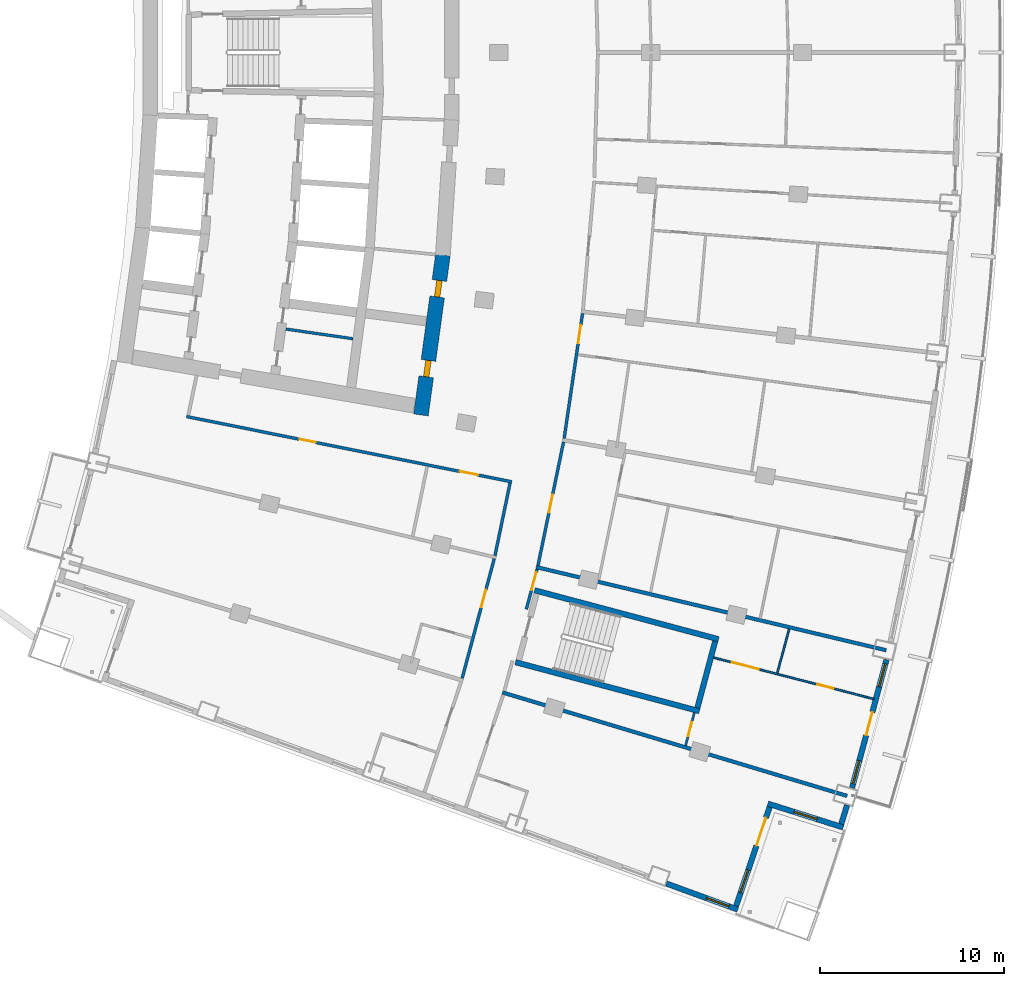
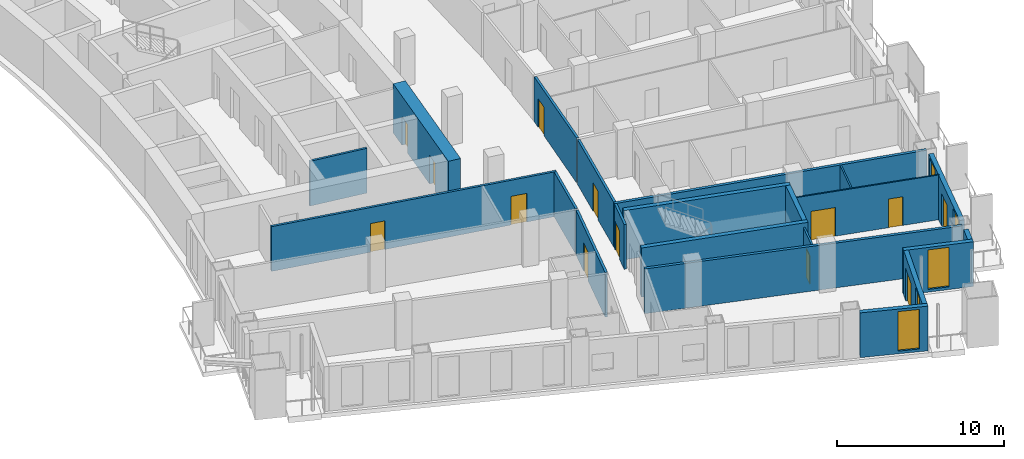
# One storey, part 14 of 25: 21 walls, 13 doors, 5 windows, 18 openings.
"""IFC4 building model written with IfcOpenShell, lengths in metres."""

from ifc_helpers import new_model, si_unit, direction, frame, frame_2d, origin, place, context, subcontext, project, spatial, rectangle, extrude, material, layer, layer_set, type_object, element, fill, save


model = new_model("IFC4")

# Units and contexts
model_context = context("Model", 3, precision=1e-05, world=origin(), true_north=direction((0.0, 1.0)))
body_context = subcontext(model_context, "Body", "Model", "MODEL_VIEW")
ifc_project = project(units=[si_unit("LENGTHUNIT", "METRE"), si_unit("AREAUNIT", "SQUARE_METRE"), si_unit("VOLUMEUNIT", "CUBIC_METRE"), si_unit("PLANEANGLEUNIT", "RADIAN"), si_unit("MASSUNIT", "GRAM", prefix="KILO")], contexts=[model_context])

# Site, building, storey
site_placement = place(None, origin())
site = spatial("IfcSite", under=ifc_project, at=site_placement, CompositionType="ELEMENT")
building_placement = place(site_placement, origin())
building = spatial("IfcBuilding", under=site, at=building_placement, Name="Alderwake Tower", CompositionType="ELEMENT")
storey_placement = place(building_placement, frame((0.0, 0.0, 118.39990234375)))
storey = spatial("IfcBuildingStorey", under=building, at=storey_placement, Name="L29", CompositionType="ELEMENT", Elevation=118.39990234375)

# Wall
ifc_material_1 = material(Name="Gypsum shaft wall system, rated")
ifc_layer_1 = layer(ifc_material_1, 0.14990234375)
ifc_layer_set_1 = layer_set([ifc_layer_1], Name="Core room partition 150")
wall_type_1 = type_object("IfcWallType", Name="Core room partition 150", PredefinedType="PARTITIONING", material=ifc_layer_set_1)
wall_1_placement = place(storey_placement, frame((24.212158203125, 45.9482421875, 0.0), z_axis=(0.0, 0.0, 1.0), x_axis=(0.989728979978, -0.142956448583, 0.0)))
element("IfcWall", 1, at=wall_1_placement, inside=storey, type_object=wall_type_1, Name="CW/L29/PR-150_+86", PredefinedType="PARTITIONING", context=body_context, shape_type="SweptSolid", body=[
    extrude(rectangle(XDim=3.695556640625, YDim=0.14990234375, at=frame_2d((1.84765625, 0.0))), origin(), (0.0, 0.0, 1.0), 3.280029296875),
])

# Wall, openings, doors
ifc_material_2 = material(Name="Concrete C70/85", Category="concrete")
ifc_layer_2 = layer(ifc_material_2, 0.800048828125)
ifc_layer_set_2 = layer_set([ifc_layer_2], Name="Core wall outer 800 C70-85")
wall_type_2 = type_object("IfcWallType", Name="Core wall outer 800 C70-85", PredefinedType="SHEAR", material=ifc_layer_set_2)
wall_2_placement = place(storey_placement, frame((32.763427734375, 49.980712890625, 0.0), z_axis=(0.0, 0.0, 1.0), x_axis=(-0.135838347444, -0.990731014637, 0.0)))
wall_2 = element("IfcWall", 2, at=wall_2_placement, inside=storey, type_object=wall_type_2, Name="Core wall CW.012", PredefinedType="SHEAR", context=body_context, shape_type="SweptSolid", body=[
    extrude(rectangle(XDim=8.788818359375, YDim=0.800048828125, at=frame_2d((4.39453125, 0.0))), origin(), (0.0, 0.0, 1.0), 3.60009765625),
])
opening_1_placement = place(wall_2_placement, frame((1.40576171875, 0.0, 0.0)))
opening_1 = element("IfcOpeningElement", 3, at=opening_1_placement, cuts=wall_2, Name="Opening C050", PredefinedType="OPENING", context=body_context, shape_type="SweptSolid", body=[
    extrude(rectangle(XDim=0.89990234375, YDim=2.10009765625, at=frame_2d((0.449951171875, 1.050048828125))), frame((0.0, 0.409912109375, 0.0), z_axis=(0.0, -1.0, 0.0), x_axis=(1.0, 0.0, 0.0)), (0.0, 0.0, 1.0), 0.820068359375),
])
opening_2_placement = place(wall_2_placement, frame((5.79345703125, 0.0, 0.0)))
opening_2 = element("IfcOpeningElement", 4, at=opening_2_placement, cuts=wall_2, Name="Opening C061", PredefinedType="OPENING", context=body_context, shape_type="SweptSolid", body=[
    extrude(rectangle(XDim=0.89990234375, YDim=2.10009765625, at=frame_2d((0.449951171875, 1.050048828125))), frame((0.0, 0.409912109375, 0.0), z_axis=(0.0, -1.0, 0.0), x_axis=(1.0, 0.0, 0.0)), (0.0, 0.0, 1.0), 0.820068359375),
])
ifc_material_3 = material(Name="Painted steel leaf", Category="steel")
door_type_1 = type_object("IfcDoorType", Name="Core room door 900", OperationType="SINGLE_SWING_LEFT", PredefinedType="DOOR", material=ifc_material_3)
door_1_placement = place(opening_1_placement, origin())
door_1 = element("IfcDoor", 5, at=door_1_placement, inside=storey, type_object=door_type_1, Name="Room door", OperationType="SINGLE_SWING_LEFT", OverallHeight=2.10009765625, OverallWidth=0.89990234375, PredefinedType="DOOR", context=body_context, shape_type="SweptSolid", body=[
    extrude(rectangle(XDim=0.89990234375, YDim=2.10009765625, at=frame_2d((0.449951171875, 1.050048828125))), frame((0.0, 0.14990234375, 0.0), z_axis=(0.0, -1.0, 0.0), x_axis=(1.0, 0.0, 0.0)), (0.0, 0.0, 1.0), 0.300048828125),
])
fill(opening_1, door_1)
door_2_placement = place(opening_2_placement, origin())
door_2 = element("IfcDoor", 6, at=door_2_placement, inside=storey, type_object=door_type_1, Name="Room door", OperationType="SINGLE_SWING_RIGHT", OverallHeight=2.10009765625, OverallWidth=0.89990234375, PredefinedType="DOOR", context=body_context, shape_type="SweptSolid", body=[
    extrude(rectangle(XDim=0.89990234375, YDim=2.10009765625, at=frame_2d((0.449951171875, 1.050048828125))), frame((0.0, 0.14990234375, 0.0), z_axis=(0.0, -1.0, 0.0), x_axis=(1.0, 0.0, 0.0)), (0.0, 0.0, 1.0), 0.300048828125),
])
fill(opening_2, door_2)

# Walls
ifc_material_4 = material(Name="Concrete C70/85", Category="concrete")
ifc_layer_3 = layer(ifc_material_4, 0.300048828125)
ifc_layer_set_3 = layer_set([ifc_layer_3], Name="Core wall stair enclosure 300 C70-85")
wall_type_3 = type_object("IfcWallType", Name="Core wall stair enclosure 300 C70-85", PredefinedType="SHEAR", material=ifc_layer_set_3)
for number, where, z_axis, x_axis, name in (
    (7, (37.75390625, 31.731201171875, 0.0), (0.0, 0.0, 1.0), (0.966309214305, -0.257383958996, 0.0), "Core wall CW.086"),
    (8, (36.71142578125, 27.817626953125, 0.0), (0.0, 0.0, 1.0), (0.966309214305, -0.257383958996, 0.0), "Core wall CW.088"),
):
    element("IfcWall", number, at=place(storey_placement, frame(where, z_axis=z_axis, x_axis=x_axis)), inside=storey, type_object=wall_type_3, Name=name, PredefinedType="SHEAR", context=body_context, shape_type="SweptSolid", body=[
        extrude(rectangle(XDim=10.360107421875, YDim=0.300048828125, at=frame_2d((5.18017578125, 0.0))), origin(), (0.0, 0.0, 1.0), 3.60009765625),
    ])
wall_3_placement = place(storey_placement, frame((46.6162109375, 25.334716796875, 0.0), z_axis=(0.0, 0.0, 1.0), x_axis=(0.257366821694, 0.966313778796, 0.0)))
element("IfcWall", 9, at=wall_3_placement, inside=storey, type_object=wall_type_3, Name="Core wall CW.085", PredefinedType="SHEAR", context=body_context, shape_type="SweptSolid", body=[
    extrude(rectangle(XDim=3.749755859375, YDim=0.300048828125, at=frame_2d((1.875, 0.0))), origin(), (0.0, 0.0, 1.0), 3.60009765625),
])

# Wall, openings, doors
ifc_material_5 = material(Name="Gypsum board on metal studs, rated")
ifc_layer_4 = layer(ifc_material_5, 0.159912109375)
ifc_layer_set_4 = layer_set([ifc_layer_4], Name="Corridor wall 160")
wall_type_4 = type_object("IfcWallType", Name="Corridor wall 160", PredefinedType="PARTITIONING", material=ifc_layer_set_4)
wall_4_placement = place(storey_placement, frame((36.513427734375, 37.63427734375, 0.0), z_axis=(0.0, 0.0, 1.0), x_axis=(-0.980470254867, 0.1966674333, 0.0)))
wall_4 = element("IfcWall", 10, at=wall_4_placement, inside=storey, type_object=wall_type_4, Name="WL/L29/W17", PredefinedType="PARTITIONING", context=body_context, shape_type="SweptSolid", body=[
    extrude(rectangle(XDim=18.053466796875, YDim=0.159912109375, at=frame_2d((9.02685546875, 0.0))), origin(), (0.0, 0.0, 1.0), 3.280029296875),
])
opening_3_placement = place(wall_4_placement, frame((10.876708984375, 0.0, 0.0)))
opening_3 = element("IfcOpeningElement", 11, at=opening_3_placement, cuts=wall_4, Name="Opening R08-SBS1", PredefinedType="OPENING", context=body_context, shape_type="SweptSolid", body=[
    extrude(rectangle(XDim=0.89990234375, YDim=2.10009765625, at=frame_2d((0.449951171875, 1.050048828125))), frame((0.0, 0.08984375, 0.0), z_axis=(0.0, -1.0, 0.0), x_axis=(1.0, 0.0, 0.0)), (0.0, 0.0, 1.0), 0.179931640625),
])
opening_4_placement = place(wall_4_placement, frame((1.880615234375, 0.0, 0.0)))
opening_4 = element("IfcOpeningElement", 12, at=opening_4_placement, cuts=wall_4, Name="Opening R08-SBS2", PredefinedType="OPENING", context=body_context, shape_type="SweptSolid", body=[
    extrude(rectangle(XDim=1.0, YDim=2.10009765625, at=frame_2d((0.5, 1.050048828125))), frame((0.0, 0.08984375, 0.0), z_axis=(0.0, -1.0, 0.0), x_axis=(1.0, 0.0, 0.0)), (0.0, 0.0, 1.0), 0.179931640625),
])
ifc_material_6 = material(Name="Steel-framed fire door leaf", Category="steel")
door_type_2 = type_object("IfcDoorType", Name="Plant room door 1000 fire-rated", OperationType="SINGLE_SWING_LEFT", PredefinedType="DOOR", material=ifc_material_6)
door_3_placement = place(opening_4_placement, origin())
door_3 = element("IfcDoor", 13, at=door_3_placement, inside=storey, type_object=door_type_2, Name="DR/L29/SBS2", OperationType="SINGLE_SWING_LEFT", OverallHeight=2.10009765625, OverallWidth=1.0, PredefinedType="DOOR", context=body_context, shape_type="SweptSolid", body=[
    extrude(rectangle(XDim=1.0, YDim=2.10009765625, at=frame_2d((0.5, 1.050048828125))), frame((0.0, 0.02490234375, 0.0), z_axis=(0.0, -1.0, 0.0), x_axis=(1.0, 0.0, 0.0)), (0.0, 0.0, 1.0), 0.050048828125),
])
fill(opening_4, door_3)
ifc_material_7 = material(Name="Painted timber leaf", Category="wood")
door_type_3 = type_object("IfcDoorType", Name="Room door 900", OperationType="SINGLE_SWING_LEFT", PredefinedType="DOOR", material=ifc_material_7)
door_4_placement = place(opening_3_placement, origin())
door_4 = element("IfcDoor", 14, at=door_4_placement, inside=storey, type_object=door_type_3, Name="DR/L29/SBS1", OperationType="SINGLE_SWING_LEFT", OverallHeight=2.10009765625, OverallWidth=0.89990234375, PredefinedType="DOOR", context=body_context, shape_type="SweptSolid", body=[
    extrude(rectangle(XDim=0.89990234375, YDim=2.10009765625, at=frame_2d((0.449951171875, 1.050048828125))), frame((0.0, 0.02490234375, 0.0), z_axis=(0.0, -1.0, 0.0), x_axis=(1.0, 0.0, 0.0)), (0.0, 0.0, 1.0), 0.050048828125),
])
fill(opening_3, door_4)

# Wall, opening, door
wall_5_placement = place(storey_placement, frame((33.808837890625, 26.9345703125, 0.0), z_axis=(0.0, 0.0, 1.0), x_axis=(0.259298911818, 0.965797118618, 0.0)))
wall_5 = element("IfcWall", 15, at=wall_5_placement, inside=storey, type_object=wall_type_4, Name="WL/L29/W24", PredefinedType="PARTITIONING", context=body_context, shape_type="SweptSolid", body=[
    extrude(rectangle(XDim=6.75, YDim=0.159912109375, at=frame_2d((3.375, 0.0))), origin(), (0.0, 0.0, 1.0), 3.280029296875),
])
opening_5_placement = place(wall_5_placement, frame((4.00341796875, 0.0, 0.0)))
opening_5 = element("IfcOpeningElement", 16, at=opening_5_placement, cuts=wall_5, Name="Opening R08-U12.1", PredefinedType="OPENING", context=body_context, shape_type="SweptSolid", body=[
    extrude(rectangle(XDim=1.0, YDim=2.10009765625, at=frame_2d((0.5, 1.050048828125))), frame((0.0, 0.08984375, 0.0), z_axis=(0.0, -1.0, 0.0), x_axis=(1.0, 0.0, 0.0)), (0.0, 0.0, 1.0), 0.179931640625),
])
ifc_material_8 = material(Name="Solid timber leaf in steel frame", Category="steel")
door_type_4 = type_object("IfcDoorType", Name="Flat entrance door 1000 fire-rated", OperationType="SINGLE_SWING_LEFT", PredefinedType="DOOR", material=ifc_material_8)
door_5_placement = place(opening_5_placement, origin())
door_5 = element("IfcDoor", 17, at=door_5_placement, inside=storey, type_object=door_type_4, Name="DR/L29/U12.1", OperationType="SINGLE_SWING_LEFT", OverallHeight=2.10009765625, OverallWidth=1.0, PredefinedType="DOOR", context=body_context, shape_type="SweptSolid", body=[
    extrude(rectangle(XDim=1.0, YDim=2.10009765625, at=frame_2d((0.5, 1.050048828125))), frame((0.0, 0.02490234375, 0.0), z_axis=(0.0, -1.0, 0.0), x_axis=(1.0, 0.0, 0.0)), (0.0, 0.0, 1.0), 0.050048828125),
])
fill(opening_5, door_5)

# Wall
wall_6_placement = place(storey_placement, frame((36.418701171875, 37.57177734375, 0.0), z_axis=(0.0, 0.0, 1.0), x_axis=(-0.203245920818, -0.979127721838, 0.0)))
element("IfcWall", 18, at=wall_6_placement, inside=storey, type_object=wall_type_4, Name="WL/L29/W29", PredefinedType="PARTITIONING", context=body_context, shape_type="SweptSolid", body=[
    extrude(rectangle(XDim=4.046875, YDim=0.159912109375, at=frame_2d((2.0234375, 0.0))), origin(), (0.0, 0.0, 1.0), 3.280029296875),
])

# Wall, opening, door
wall_7_placement = place(storey_placement, frame((37.89111328125, 32.87939453125, 0.0), z_axis=(0.0, 0.0, 1.0), x_axis=(-0.259620578816, -0.965710699462, 0.0)))
wall_7 = element("IfcWall", 19, at=wall_7_placement, inside=storey, type_object=wall_type_4, Name="WL/L29/W32", PredefinedType="PARTITIONING", context=body_context, shape_type="SweptSolid", body=[
    extrude(rectangle(XDim=2.2578125, YDim=0.159912109375, at=frame_2d((1.12890625, 0.0))), origin(), (0.0, 0.0, 1.0), 3.280029296875),
])
opening_6_placement = place(wall_7_placement, frame((0.1708984375, 0.0, 0.0)))
opening_6 = element("IfcOpeningElement", 20, at=opening_6_placement, cuts=wall_7, Name="Opening R08-U01.1", PredefinedType="OPENING", context=body_context, shape_type="SweptSolid", body=[
    extrude(rectangle(XDim=1.0, YDim=2.10009765625, at=frame_2d((0.5, 1.050048828125))), frame((0.0, 0.08984375, 0.0), z_axis=(0.0, -1.0, 0.0), x_axis=(1.0, 0.0, 0.0)), (0.0, 0.0, 1.0), 0.179931640625),
])
door_6_placement = place(opening_6_placement, origin())
door_6 = element("IfcDoor", 21, at=door_6_placement, inside=storey, type_object=door_type_4, Name="DR/L29/U01.1", OperationType="SINGLE_SWING_LEFT", OverallHeight=2.10009765625, OverallWidth=1.0, PredefinedType="DOOR", context=body_context, shape_type="SweptSolid", body=[
    extrude(rectangle(XDim=1.0, YDim=2.10009765625, at=frame_2d((0.5, 1.050048828125))), frame((0.0, 0.02490234375, 0.0), z_axis=(0.0, -1.0, 0.0), x_axis=(1.0, 0.0, 0.0)), (0.0, 0.0, 1.0), 0.050048828125),
])
fill(opening_6, door_6)

wall_8_placement = place(storey_placement, frame((39.32763671875, 39.799072265625, 0.0), z_axis=(0.0, 0.0, 1.0), x_axis=(-0.202463357072, -0.97928983914, 0.0)))
wall_8 = element("IfcWall", 22, at=wall_8_placement, inside=storey, type_object=wall_type_4, Name="WL/L29/W33", PredefinedType="PARTITIONING", context=body_context, shape_type="SweptSolid", body=[
    extrude(rectangle(XDim=6.867431640625, YDim=0.159912109375, at=frame_2d((3.43359375, 0.0))), origin(), (0.0, 0.0, 1.0), 3.280029296875),
])
opening_7_placement = place(wall_8_placement, frame((2.93359375, 0.0, 0.0)))
opening_7 = element("IfcOpeningElement", 23, at=opening_7_placement, cuts=wall_8, Name="Opening R08-U05.2", PredefinedType="OPENING", context=body_context, shape_type="SweptSolid", body=[
    extrude(rectangle(XDim=1.0, YDim=2.10009765625, at=frame_2d((0.5, 1.050048828125))), frame((0.0, 0.08984375, 0.0), z_axis=(0.0, -1.0, 0.0), x_axis=(1.0, 0.0, 0.0)), (0.0, 0.0, 1.0), 0.179931640625),
])
door_7_placement = place(opening_7_placement, origin())
door_7 = element("IfcDoor", 24, at=door_7_placement, inside=storey, type_object=door_type_4, Name="DR/L29/U05.2", OperationType="SINGLE_SWING_LEFT", OverallHeight=2.10009765625, OverallWidth=1.0, PredefinedType="DOOR", context=body_context, shape_type="SweptSolid", body=[
    extrude(rectangle(XDim=1.0, YDim=2.10009765625, at=frame_2d((0.5, 1.050048828125))), frame((0.0, 0.02490234375, 0.0), z_axis=(0.0, -1.0, 0.0), x_axis=(1.0, 0.0, 0.0)), (0.0, 0.0, 1.0), 0.050048828125),
])
fill(opening_7, door_7)

wall_9_placement = place(storey_placement, frame((40.3623046875, 46.7939453125, 0.0), z_axis=(0.0, 0.0, 1.0), x_axis=(-0.1455042199, -0.989357630987, 0.0)))
wall_9 = element("IfcWall", 25, at=wall_9_placement, inside=storey, type_object=wall_type_4, Name="WL/L29/W35", PredefinedType="PARTITIONING", context=body_context, shape_type="SweptSolid", body=[
    extrude(rectangle(XDim=6.87109375, YDim=0.159912109375, at=frame_2d((3.435546875, 0.0))), origin(), (0.0, 0.0, 1.0), 3.280029296875),
])
opening_8_placement = place(wall_9_placement, frame((0.628662109375, 0.0, 0.0)))
opening_8 = element("IfcOpeningElement", 26, at=opening_8_placement, cuts=wall_9, Name="Opening R08-U06.2", PredefinedType="OPENING", context=body_context, shape_type="SweptSolid", body=[
    extrude(rectangle(XDim=1.0, YDim=2.10009765625, at=frame_2d((0.5, 1.050048828125))), frame((0.0, 0.08984375, 0.0), z_axis=(0.0, -1.0, 0.0), x_axis=(1.0, 0.0, 0.0)), (0.0, 0.0, 1.0), 0.179931640625),
])
door_8_placement = place(opening_8_placement, origin())
door_8 = element("IfcDoor", 27, at=door_8_placement, inside=storey, type_object=door_type_4, Name="DR/L29/U06.2", OperationType="SINGLE_SWING_LEFT", OverallHeight=2.10009765625, OverallWidth=1.0, PredefinedType="DOOR", context=body_context, shape_type="SweptSolid", body=[
    extrude(rectangle(XDim=1.0, YDim=2.10009765625, at=frame_2d((0.5, 1.050048828125))), frame((0.0, 0.02490234375, 0.0), z_axis=(0.0, -1.0, 0.0), x_axis=(1.0, 0.0, 0.0)), (0.0, 0.0, 1.0), 0.050048828125),
])
fill(opening_8, door_8)

# Wall
ifc_material_9 = material(Name="Precast concrete C50/60 spandrel panel", Category="concrete")
ifc_layer_5 = layer(ifc_material_9, 0.300048828125)
ifc_layer_set_5 = layer_set([ifc_layer_5], Name="External wall EW1 Precast concrete C50/60 spandrel")
wall_type_5 = type_object("IfcWallType", Name="External wall EW1 Precast concrete C50/60 spandrel", PredefinedType="SOLIDWALL", material=ifc_layer_set_5)
wall_10_placement = place(storey_placement, frame((54.443603515625, 19.013671875, 0.0), z_axis=(0.0, 0.0, 1.0), x_axis=(0.294437594457, 0.95567070844, 0.0)))
element("IfcWall", 28, at=wall_10_placement, inside=storey, type_object=wall_type_5, Name="External wall 11", PredefinedType="SOLIDWALL", context=body_context, shape_type="SweptSolid", body=[
    extrude(rectangle(XDim=1.072998046875, YDim=0.300048828125, at=frame_2d((0.53662109375, 0.0))), origin(), (0.0, 0.0, 1.0), 3.280029296875),
])

# Wall, openings, door, windows
wall_11_placement = place(storey_placement, frame((55.03076171875, 20.98046875, 0.0), z_axis=(0.0, 0.0, 1.0), x_axis=(0.259514900315, 0.965739103751, 0.0)))
wall_11 = element("IfcWall", 29, at=wall_11_placement, inside=storey, type_object=wall_type_5, Name="External wall 12", PredefinedType="SOLIDWALL", context=body_context, shape_type="SweptSolid", body=[
    extrude(rectangle(XDim=7.217529296875, YDim=0.300048828125, at=frame_2d((3.60888671875, 0.0))), origin(), (0.0, 0.0, 1.0), 3.280029296875),
])
opening_9_placement = place(wall_11_placement, frame((0.22509765625, 0.0, 0.199951171875)))
opening_9 = element("IfcOpeningElement", 30, at=opening_9_placement, cuts=wall_11, Name="Opening W1", PredefinedType="OPENING", context=body_context, shape_type="SweptSolid", body=[
    extrude(rectangle(XDim=1.300048828125, YDim=2.89990234375, at=frame_2d((0.64990234375, 1.449951171875))), frame((0.0, 0.159912109375, 0.0), z_axis=(0.0, -1.0, 0.0), x_axis=(1.0, 0.0, 0.0)), (0.0, 0.0, 1.0), 0.320068359375),
])
opening_10_placement = place(wall_11_placement, frame((2.958740234375, 0.0, 0.0)))
opening_10 = element("IfcOpeningElement", 31, at=opening_10_placement, cuts=wall_11, Name="Opening D03", PredefinedType="OPENING", context=body_context, shape_type="SweptSolid", body=[
    extrude(rectangle(XDim=1.300048828125, YDim=2.39990234375, at=frame_2d((0.64990234375, 1.199951171875))), frame((0.0, 0.159912109375, 0.0), z_axis=(0.0, -1.0, 0.0), x_axis=(1.0, 0.0, 0.0)), (0.0, 0.0, 1.0), 0.320068359375),
])
opening_11_placement = place(wall_11_placement, frame((5.692138671875, 0.0, 0.199951171875)))
opening_11 = element("IfcOpeningElement", 32, at=opening_11_placement, cuts=wall_11, Name="Opening W1", PredefinedType="OPENING", context=body_context, shape_type="SweptSolid", body=[
    extrude(rectangle(XDim=1.300048828125, YDim=2.89990234375, at=frame_2d((0.64990234375, 1.449951171875))), frame((0.0, 0.159912109375, 0.0), z_axis=(0.0, -1.0, 0.0), x_axis=(1.0, 0.0, 0.0)), (0.0, 0.0, 1.0), 0.320068359375),
])
ifc_material_10 = material(Name="Bronze tinted glass in aluminium frame", Category="aluminium")
door_type_5 = type_object("IfcDoorType", Name="Balcony door BD sliding", OperationType="SLIDING_TO_LEFT", PredefinedType="DOOR", material=ifc_material_10)
door_9_placement = place(opening_10_placement, origin())
door_9 = element("IfcDoor", 33, at=door_9_placement, inside=storey, type_object=door_type_5, Name="Door D03", OperationType="SLIDING_TO_LEFT", OverallHeight=2.39990234375, OverallWidth=1.300048828125, PredefinedType="DOOR", context=body_context, shape_type="SweptSolid", body=[
    extrude(rectangle(XDim=1.300048828125, YDim=2.39990234375, at=frame_2d((0.64990234375, 1.199951171875))), frame((0.0, 0.02490234375, 0.0), z_axis=(0.0, -1.0, 0.0), x_axis=(1.0, 0.0, 0.0)), (0.0, 0.0, 1.0), 0.050048828125),
])
fill(opening_10, door_9)
ifc_material_11 = material(Name="Bronze tinted glass in aluminium frame", Category="aluminium")
window_type = type_object("IfcWindowType", Name="Window W1 tall fixed and vent", PartitioningType="DOUBLE_PANEL_VERTICAL", PredefinedType="WINDOW", material=ifc_material_11)
window_1_placement = place(opening_9_placement, origin())
window_1 = element("IfcWindow", 34, at=window_1_placement, inside=storey, type_object=window_type, Name="Window W1 tall fixed and vent", OverallHeight=2.89990234375, OverallWidth=1.300048828125, PartitioningType="DOUBLE_PANEL_VERTICAL", PredefinedType="WINDOW", context=body_context, shape_type="SweptSolid", body=[
    extrude(rectangle(XDim=1.300048828125, YDim=2.89990234375, at=frame_2d((0.64990234375, 1.449951171875))), frame((0.0, 0.030029296875, 0.0), z_axis=(0.0, -1.0, 0.0), x_axis=(1.0, 0.0, 0.0)), (0.0, 0.0, 1.0), 0.06005859375),
])
fill(opening_9, window_1)
window_2_placement = place(opening_11_placement, origin())
window_2 = element("IfcWindow", 35, at=window_2_placement, inside=storey, type_object=window_type, Name="Window W1 tall fixed and vent", OverallHeight=2.89990234375, OverallWidth=1.300048828125, PartitioningType="DOUBLE_PANEL_VERTICAL", PredefinedType="WINDOW", context=body_context, shape_type="SweptSolid", body=[
    extrude(rectangle(XDim=1.300048828125, YDim=2.89990234375, at=frame_2d((0.64990234375, 1.449951171875))), frame((0.0, 0.030029296875, 0.0), z_axis=(0.0, -1.0, 0.0), x_axis=(1.0, 0.0, 0.0)), (0.0, 0.0, 1.0), 0.06005859375),
])
fill(opening_11, window_2)

# Wall, opening, window
ifc_material_12 = material(Name="Bronze metal cladding on lightweight framing")
ifc_layer_6 = layer(ifc_material_12, 0.300048828125)
ifc_layer_set_6 = layer_set([ifc_layer_6], Name="External wall EW2 bronze metal cladding")
wall_type_6 = type_object("IfcWallType", Name="External wall EW2 bronze metal cladding", PredefinedType="SOLIDWALL", material=ifc_layer_set_6)
wall_12_placement = place(storey_placement, frame((44.924072265625, 15.771728515625, 0.0), z_axis=(0.0, 0.0, 1.0), x_axis=(0.939377533493, -0.34288460095, 0.0)))
wall_12 = element("IfcWall", 36, at=wall_12_placement, inside=storey, type_object=wall_type_6, Name="External wall 8", PredefinedType="SOLIDWALL", context=body_context, shape_type="SweptSolid", body=[
    extrude(rectangle(XDim=4.137451171875, YDim=0.300048828125, at=frame_2d((2.06884765625, 0.0))), origin(), (0.0, 0.0, 1.0), 3.280029296875),
])
opening_12_placement = place(wall_12_placement, frame((2.321533203125, 0.0, 0.199951171875)))
opening_12 = element("IfcOpeningElement", 37, at=opening_12_placement, cuts=wall_12, Name="Opening W1", PredefinedType="OPENING", context=body_context, shape_type="SweptSolid", body=[
    extrude(rectangle(XDim=1.300048828125, YDim=2.89990234375, at=frame_2d((0.64990234375, 1.449951171875))), frame((0.0, 0.159912109375, 0.0), z_axis=(0.0, -1.0, 0.0), x_axis=(1.0, 0.0, 0.0)), (0.0, 0.0, 1.0), 0.320068359375),
])
window_3_placement = place(opening_12_placement, origin())
window_3 = element("IfcWindow", 38, at=window_3_placement, inside=storey, type_object=window_type, Name="Window W1 tall fixed and vent", OverallHeight=2.89990234375, OverallWidth=1.300048828125, PartitioningType="DOUBLE_PANEL_VERTICAL", PredefinedType="WINDOW", context=body_context, shape_type="SweptSolid", body=[
    extrude(rectangle(XDim=1.300048828125, YDim=2.89990234375, at=frame_2d((0.64990234375, 1.449951171875))), frame((0.0, 0.030029296875, 0.0), z_axis=(0.0, -1.0, 0.0), x_axis=(1.0, 0.0, 0.0)), (0.0, 0.0, 1.0), 0.06005859375),
])
fill(opening_12, window_3)

# Wall, openings, door, window
wall_13_placement = place(storey_placement, frame((48.718017578125, 14.54638671875, 0.0), z_axis=(0.0, 0.0, 1.0), x_axis=(0.320898962685, 0.947113433411, 0.0)))
wall_13 = element("IfcWall", 39, at=wall_13_placement, inside=storey, type_object=wall_type_6, Name="External wall 9", PredefinedType="SOLIDWALL", context=body_context, shape_type="SweptSolid", body=[
    extrude(rectangle(XDim=5.68701171875, YDim=0.300048828125, at=frame_2d((2.843505859375, 0.0))), origin(), (0.0, 0.0, 1.0), 3.280029296875),
])
opening_13_placement = place(wall_13_placement, frame((0.771728515625, 0.0, 0.199951171875)))
opening_13 = element("IfcOpeningElement", 40, at=opening_13_placement, cuts=wall_13, Name="Opening W1", PredefinedType="OPENING", context=body_context, shape_type="SweptSolid", body=[
    extrude(rectangle(XDim=1.300048828125, YDim=2.89990234375, at=frame_2d((0.64990234375, 1.449951171875))), frame((0.0, 0.159912109375, 0.0), z_axis=(0.0, -1.0, 0.0), x_axis=(1.0, 0.0, 0.0)), (0.0, 0.0, 1.0), 0.320068359375),
])
opening_14_placement = place(wall_13_placement, frame((3.465087890625, 0.0, 0.0)))
opening_14 = element("IfcOpeningElement", 41, at=opening_14_placement, cuts=wall_13, Name="Opening D02", PredefinedType="OPENING", context=body_context, shape_type="SweptSolid", body=[
    extrude(rectangle(XDim=1.60009765625, YDim=2.39990234375, at=frame_2d((0.800048828125, 1.199951171875))), frame((0.0, 0.159912109375, 0.0), z_axis=(0.0, -1.0, 0.0), x_axis=(1.0, 0.0, 0.0)), (0.0, 0.0, 1.0), 0.320068359375),
])
ifc_material_13 = material(Name="Bronze tinted glass in aluminium frame", Category="aluminium")
door_type_6 = type_object("IfcDoorType", Name="Terrace door TD sliding", OperationType="SLIDING_TO_LEFT", PredefinedType="DOOR", material=ifc_material_13)
door_10_placement = place(opening_14_placement, origin())
door_10 = element("IfcDoor", 42, at=door_10_placement, inside=storey, type_object=door_type_6, Name="Door D02", OperationType="SLIDING_TO_LEFT", OverallHeight=2.39990234375, OverallWidth=1.60009765625, PredefinedType="DOOR", context=body_context, shape_type="SweptSolid", body=[
    extrude(rectangle(XDim=1.60009765625, YDim=2.39990234375, at=frame_2d((0.800048828125, 1.199951171875))), frame((0.0, 0.02490234375, 0.0), z_axis=(0.0, -1.0, 0.0), x_axis=(1.0, 0.0, 0.0)), (0.0, 0.0, 1.0), 0.050048828125),
])
fill(opening_14, door_10)
window_4_placement = place(opening_13_placement, origin())
window_4 = element("IfcWindow", 43, at=window_4_placement, inside=storey, type_object=window_type, Name="Window W1 tall fixed and vent", OverallHeight=2.89990234375, OverallWidth=1.300048828125, PartitioningType="DOUBLE_PANEL_VERTICAL", PredefinedType="WINDOW", context=body_context, shape_type="SweptSolid", body=[
    extrude(rectangle(XDim=1.300048828125, YDim=2.89990234375, at=frame_2d((0.64990234375, 1.449951171875))), frame((0.0, 0.030029296875, 0.0), z_axis=(0.0, -1.0, 0.0), x_axis=(1.0, 0.0, 0.0)), (0.0, 0.0, 1.0), 0.06005859375),
])
fill(opening_13, window_4)

# Wall, opening, window
wall_14_placement = place(storey_placement, frame((50.447998046875, 20.119873046875, 0.0), z_axis=(0.0, 0.0, 1.0), x_axis=(0.953453695683, -0.30153946705, 0.0)))
wall_14 = element("IfcWall", 44, at=wall_14_placement, inside=storey, type_object=wall_type_6, Name="External wall 10", PredefinedType="SOLIDWALL", context=body_context, shape_type="SweptSolid", body=[
    extrude(rectangle(XDim=4.29443359375, YDim=0.300048828125, at=frame_2d((2.147216796875, 0.0))), origin(), (0.0, 0.0, 1.0), 3.280029296875),
])
opening_15_placement = place(wall_14_placement, frame((1.4970703125, 0.0, 0.199951171875)))
opening_15 = element("IfcOpeningElement", 45, at=opening_15_placement, cuts=wall_14, Name="Opening W1", PredefinedType="OPENING", context=body_context, shape_type="SweptSolid", body=[
    extrude(rectangle(XDim=1.300048828125, YDim=2.89990234375, at=frame_2d((0.64990234375, 1.449951171875))), frame((0.0, 0.159912109375, 0.0), z_axis=(0.0, -1.0, 0.0), x_axis=(1.0, 0.0, 0.0)), (0.0, 0.0, 1.0), 0.320068359375),
])
window_5_placement = place(opening_15_placement, origin())
window_5 = element("IfcWindow", 46, at=window_5_placement, inside=storey, type_object=window_type, Name="Window W1 tall fixed and vent", OverallHeight=2.89990234375, OverallWidth=1.300048828125, PartitioningType="DOUBLE_PANEL_VERTICAL", PredefinedType="WINDOW", context=body_context, shape_type="SweptSolid", body=[
    extrude(rectangle(XDim=1.300048828125, YDim=2.89990234375, at=frame_2d((0.64990234375, 1.449951171875))), frame((0.0, 0.030029296875, 0.0), z_axis=(0.0, -1.0, 0.0), x_axis=(1.0, 0.0, 0.0)), (0.0, 0.0, 1.0), 0.06005859375),
])
fill(opening_15, window_5)

# Walls
ifc_material_14 = material(Name="Dense block masonry wall", Category="masonry")
ifc_layer_7 = layer(ifc_material_14, 0.199951171875)
ifc_layer_set_7 = layer_set([ifc_layer_7], Name="Party wall 200")
wall_type_7 = type_object("IfcWallType", Name="Party wall 200", PredefinedType="SOLIDWALL", material=ifc_layer_set_7)
wall_15_placement = place(storey_placement, frame((36.00439453125, 26.1708984375, 0.0), z_axis=(0.0, 0.0, 1.0), x_axis=(0.957777200059, -0.287511452028, 0.0)))
element("IfcWall", 47, at=wall_15_placement, inside=storey, type_object=wall_type_7, Name="WL/L29/W05", PredefinedType="SOLIDWALL", context=body_context, shape_type="SweptSolid", body=[
    extrude(rectangle(XDim=19.58154296875, YDim=0.199951171875, at=frame_2d((9.790771484375, 0.0))), origin(), (0.0, 0.0, 1.0), 3.280029296875),
])
wall_16_placement = place(storey_placement, frame((37.839111328125, 32.994384765625, 0.0), z_axis=(0.0, 0.0, 1.0), x_axis=(0.97289391961, -0.23125185661, 0.0)))
element("IfcWall", 48, at=wall_16_placement, inside=storey, type_object=wall_type_7, Name="WL/L29/W06", PredefinedType="SOLIDWALL", context=body_context, shape_type="SweptSolid", body=[
    extrude(rectangle(XDim=19.57763671875, YDim=0.199951171875, at=frame_2d((9.788818359375, 0.0))), origin(), (0.0, 0.0, 1.0), 3.280029296875),
])

# Wall, openings, doors
ifc_material_15 = material(Name="Gypsum board on metal studs")
ifc_layer_8 = layer(ifc_material_15, 0.10009765625)
ifc_layer_set_8 = layer_set([ifc_layer_8], Name="Unit partition 100")
wall_type_8 = type_object("IfcWallType", Name="Unit partition 100", PredefinedType="PARTITIONING", material=ifc_layer_set_8)
wall_17_placement = place(storey_placement, frame((56.22607421875, 25.81201171875, 0.0), z_axis=(0.0, 0.0, 1.0), x_axis=(-0.968170905341, 0.25029002787, 0.0)))
wall_17 = element("IfcWall", 49, at=wall_17_placement, inside=storey, type_object=wall_type_8, Name="WL/L29/W76", PredefinedType="PARTITIONING", context=body_context, shape_type="SweptSolid", body=[
    extrude(rectangle(XDim=9.013916015625, YDim=0.10009765625, at=frame_2d((4.5068359375, 0.0))), origin(), (0.0, 0.0, 1.0), 3.280029296875),
])
opening_16_placement = place(wall_17_placement, frame((6.481689453125, 0.0, 0.0)))
opening_16 = element("IfcOpeningElement", 50, at=opening_16_placement, cuts=wall_17, Name="Opening R08-U01.2", PredefinedType="OPENING", context=body_context, shape_type="SweptSolid", body=[
    extrude(rectangle(XDim=1.5, YDim=2.10009765625, at=frame_2d((0.75, 1.050048828125))), frame((0.0, 0.06005859375, 0.0), z_axis=(0.0, -1.0, 0.0), x_axis=(1.0, 0.0, 0.0)), (0.0, 0.0, 1.0), 0.1201171875),
])
opening_17_placement = place(wall_17_placement, frame((2.275390625, 0.0, 0.0)))
opening_17 = element("IfcOpeningElement", 51, at=opening_17_placement, cuts=wall_17, Name="Opening R08-U01.3", PredefinedType="OPENING", context=body_context, shape_type="SweptSolid", body=[
    extrude(rectangle(XDim=0.89990234375, YDim=2.10009765625, at=frame_2d((0.449951171875, 1.050048828125))), frame((0.0, 0.06005859375, 0.0), z_axis=(0.0, -1.0, 0.0), x_axis=(1.0, 0.0, 0.0)), (0.0, 0.0, 1.0), 0.1201171875),
])
ifc_material_16 = material(Name="Painted timber leaves", Category="wood")
door_type_7 = type_object("IfcDoorType", Name="Double leaf door 1500", OperationType="DOUBLE_DOOR_SINGLE_SWING", PredefinedType="DOOR", material=ifc_material_16)
door_11_placement = place(opening_16_placement, origin())
door_11 = element("IfcDoor", 52, at=door_11_placement, inside=storey, type_object=door_type_7, Name="DR/L29/U01.2", OperationType="DOUBLE_DOOR_SINGLE_SWING", OverallHeight=2.10009765625, OverallWidth=1.5, PredefinedType="DOOR", context=body_context, shape_type="SweptSolid", body=[
    extrude(rectangle(XDim=1.5, YDim=2.10009765625, at=frame_2d((0.75, 1.050048828125))), frame((0.0, 0.02490234375, 0.0), z_axis=(0.0, -1.0, 0.0), x_axis=(1.0, 0.0, 0.0)), (0.0, 0.0, 1.0), 0.050048828125),
])
fill(opening_16, door_11)
door_12_placement = place(opening_17_placement, origin())
door_12 = element("IfcDoor", 53, at=door_12_placement, inside=storey, type_object=door_type_3, Name="DR/L29/U01.3", OperationType="SINGLE_SWING_LEFT", OverallHeight=2.10009765625, OverallWidth=0.89990234375, PredefinedType="DOOR", context=body_context, shape_type="SweptSolid", body=[
    extrude(rectangle(XDim=0.89990234375, YDim=2.10009765625, at=frame_2d((0.449951171875, 1.050048828125))), frame((0.0, 0.02490234375, 0.0), z_axis=(0.0, -1.0, 0.0), x_axis=(1.0, 0.0, 0.0)), (0.0, 0.0, 1.0), 0.050048828125),
])
fill(opening_17, door_12)

# Wall
wall_18_placement = place(storey_placement, frame((50.9619140625, 27.225341796875, 0.0), z_axis=(0.0, 0.0, 1.0), x_axis=(0.260249003849, 0.965541535096, 0.0)))
element("IfcWall", 54, at=wall_18_placement, inside=storey, type_object=wall_type_8, Name="WL/L29/W82", PredefinedType="PARTITIONING", context=body_context, shape_type="SweptSolid", body=[
    extrude(rectangle(XDim=2.478515625, YDim=0.10009765625, at=frame_2d((1.2392578125, 0.0))), origin(), (0.0, 0.0, 1.0), 3.280029296875),
])

# Wall, opening, door
ifc_material_17 = material(Name="Moisture resistant gypsum board on metal studs")
ifc_layer_9 = layer(ifc_material_17, 0.1201171875)
ifc_layer_set_9 = layer_set([ifc_layer_9], Name="Wet room partition 120")
wall_type_9 = type_object("IfcWallType", Name="Wet room partition 120", PredefinedType="PARTITIONING", material=ifc_layer_set_9)
wall_19_placement = place(storey_placement, frame((45.970947265625, 23.28369140625, 0.0), z_axis=(0.0, 0.0, 1.0), x_axis=(0.258764710752, 0.965940383497, 0.0)))
wall_19 = element("IfcWall", 55, at=wall_19_placement, inside=storey, type_object=wall_type_9, Name="WL/L29/W64", PredefinedType="PARTITIONING", context=body_context, shape_type="SweptSolid", body=[
    extrude(rectangle(XDim=1.847412109375, YDim=0.1201171875, at=frame_2d((0.923828125, 0.0))), origin(), (0.0, 0.0, 1.0), 3.280029296875),
])
opening_18_placement = place(wall_19_placement, frame((0.523681640625, 0.0, 0.0)))
opening_18 = element("IfcOpeningElement", 56, at=opening_18_placement, cuts=wall_19, Name="Opening R08-U01.4", PredefinedType="OPENING", context=body_context, shape_type="SweptSolid", body=[
    extrude(rectangle(XDim=0.800048828125, YDim=2.10009765625, at=frame_2d((0.39990234375, 1.050048828125))), frame((0.0, 0.070068359375, 0.0), z_axis=(0.0, -1.0, 0.0), x_axis=(1.0, 0.0, 0.0)), (0.0, 0.0, 1.0), 0.14013671875),
])
ifc_material_18 = material(Name="Painted timber leaf", Category="wood")
door_type_8 = type_object("IfcDoorType", Name="Bathroom door 800", OperationType="SINGLE_SWING_LEFT", PredefinedType="DOOR", material=ifc_material_18)
door_13_placement = place(opening_18_placement, origin())
door_13 = element("IfcDoor", 57, at=door_13_placement, inside=storey, type_object=door_type_8, Name="DR/L29/U01.4", OperationType="SINGLE_SWING_LEFT", OverallHeight=2.10009765625, OverallWidth=0.800048828125, PredefinedType="DOOR", context=body_context, shape_type="SweptSolid", body=[
    extrude(rectangle(XDim=0.800048828125, YDim=2.10009765625, at=frame_2d((0.39990234375, 1.050048828125))), frame((0.0, 0.02490234375, 0.0), z_axis=(0.0, -1.0, 0.0), x_axis=(1.0, 0.0, 0.0)), (0.0, 0.0, 1.0), 0.050048828125),
])
fill(opening_18, door_13)

save(model, "model.ifc")
